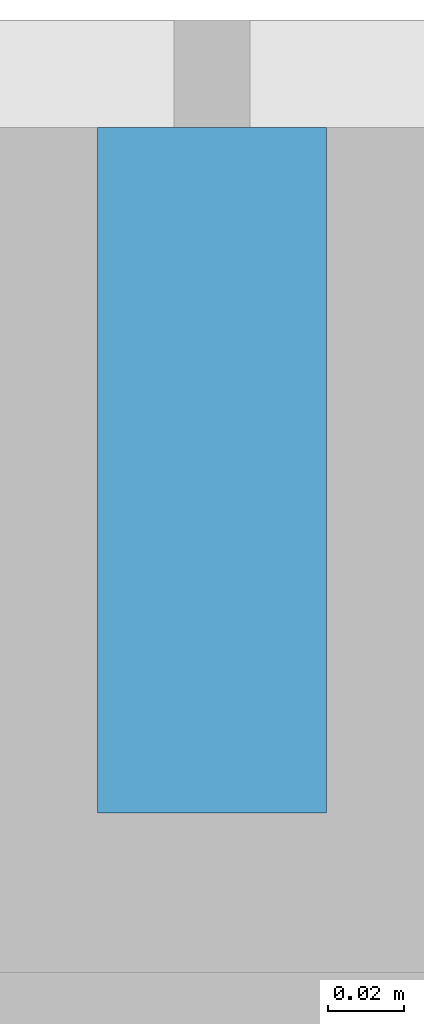
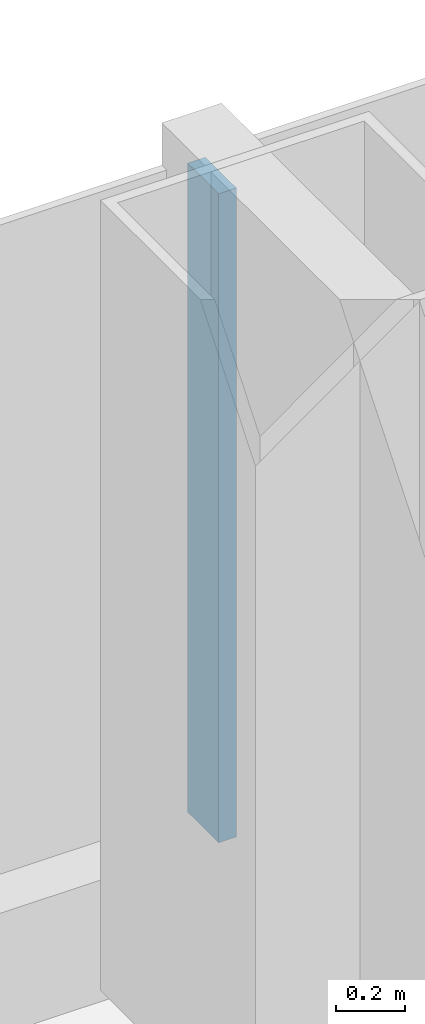
# One storey, part 7 of 29: 1 member, 1 element without a shape of its own.
"""IFC4 building model written with IfcOpenShell, lengths in metres."""

import ifcopenshell
import ifcopenshell.guid

model = None  # the IFC model being written
_history = None  # IfcOwnerHistory: only IFC2X3 demands one
_inside = {}  # id of a spatial element -> (the spatial element, [elements in it])
_under = {}  # id of a project, library or spatial element -> (it, [spatial elements below it])
_declared = {}  # id of a project -> (the project, [libraries it declares])
_typed = {}  # id of a type object -> (the type object, [elements of that type])
_made_of = {}  # id of a material, layer set ... -> (it, [elements and type objects made of it])


def new_model(schema):
    """Start an empty IFC model of exactly this schema.

    Asked for "IFC4X3", IfcOpenShell would pick the latest addendum, in which some entities
    have other attributes; the version numbers below select the first issue.
    IFC2X3 requires an IfcOwnerHistory on every rooted entity: one is made here for all.
    """
    global model, _history
    if schema == "IFC4X3":
        model = ifcopenshell.file(schema_version=(4, 3, 0, 0))
    else:
        model = ifcopenshell.file(schema=schema)
    _inside.clear()
    _under.clear()
    _declared.clear()
    _typed.clear()
    _made_of.clear()
    _history = None
    if model.schema == "IFC2X3":
        org = make("IfcOrganization", Name="unknown")
        user = make(
            "IfcPersonAndOrganization",
            ThePerson=make("IfcPerson", FamilyName="unknown"),
            TheOrganization=org,
        )
        app = make(
            "IfcApplication",
            ApplicationDeveloper=org,
            Version="unknown",
            ApplicationFullName="unknown",
            ApplicationIdentifier="unknown",
        )
        _history = make(
            "IfcOwnerHistory",
            OwningUser=user,
            OwningApplication=app,
            ChangeAction="ADDED",
            CreationDate=0,
        )
    return model


def make(cls, **values):
    """One entity of the class cls with the attributes given. An attribute that is None is left unset."""
    return model.create_entity(
        cls, **{name: value for name, value in values.items() if value is not None}
    )


def rooted(cls, **values):
    """An entity with a GlobalId (a new one), such as an element, a storey or a relation."""
    return make(cls, GlobalId=ifcopenshell.guid.new(), OwnerHistory=_history, **values)


def si_unit(unit_type, name, prefix=None):
    """IfcSIUnit, for example si_unit("LENGTHUNIT", "METRE", prefix="MILLI")."""
    return make("IfcSIUnit", UnitType=unit_type, Prefix=prefix, Name=name)


def assignment(units):
    """IfcUnitAssignment: the units of a project."""
    return None if units is None else make("IfcUnitAssignment", Units=units)


def point(xyz):
    """IfcCartesianPoint."""
    return None if xyz is None else make("IfcCartesianPoint", Coordinates=xyz)


def direction(xyz):
    """IfcDirection."""
    return None if xyz is None else make("IfcDirection", DirectionRatios=xyz)


def frame(location, z_axis=None, x_axis=None):
    """IfcAxis2Placement3D, a coordinate frame: its origin and axes. An axis left out is left unset."""
    return make(
        "IfcAxis2Placement3D",
        Location=point(location),
        Axis=direction(z_axis),
        RefDirection=direction(x_axis),
    )


def frame_2d(location, x_axis=None):
    """IfcAxis2Placement2D, a coordinate frame in the plane: its origin and x axis."""
    return make(
        "IfcAxis2Placement2D", Location=point(location), RefDirection=direction(x_axis)
    )


def origin():
    """The frame at (0, 0, 0) with its axes left unset."""
    return frame((0.0, 0.0, 0.0))


def origin_2d():
    """The frame at (0, 0) in the plane with its x axis left unset."""
    return frame_2d((0.0, 0.0))


def place(relative_to, where):
    """IfcLocalPlacement: puts the frame where relative to a parent placement (None: the world)."""
    return make(
        "IfcLocalPlacement", PlacementRelTo=relative_to, RelativePlacement=where
    )


def context(
    kind, dimensions, precision=None, world=None, true_north=None, identifier=None
):
    """IfcGeometricRepresentationContext, for example the 3D "Model" context."""
    return make(
        "IfcGeometricRepresentationContext",
        ContextIdentifier=identifier,
        ContextType=kind,
        CoordinateSpaceDimension=dimensions,
        Precision=precision,
        WorldCoordinateSystem=world,
        TrueNorth=true_north,
    )


def subcontext(parent, identifier, kind, view, scale=None):
    """IfcGeometricRepresentationSubContext, for example "Body" below "Model"."""
    return make(
        "IfcGeometricRepresentationSubContext",
        ContextIdentifier=identifier,
        ContextType=kind,
        ParentContext=parent,
        TargetScale=scale,
        TargetView=view,
    )


def project(units=None, contexts=None):
    """IfcProject with its units and contexts."""
    return rooted(
        "IfcProject",
        Name="project",
        RepresentationContexts=contexts,
        UnitsInContext=assignment(units),
    )


def spatial(cls, under=None, at=None, **own):
    """A site, building, storey or space (cls), placed at a placement, below another one or the project."""
    s = rooted(cls, ObjectPlacement=at, **own)
    if under is not None:
        _under.setdefault(under.id(), (under, []))[1].append(s)
    return s


def profile(cls, at=None, kind="AREA", **sizes):
    """A parametric profile (cls). Its sizes go by their IFC names, for example OverallWidth=200.0."""
    return make(cls, ProfileType=kind, Position=at, **sizes)


def rectangle(**sizes):
    """IfcRectangleProfileDef."""
    return profile("IfcRectangleProfileDef", **sizes)


def extrude(swept, where, along, depth):
    """IfcExtrudedAreaSolid: the profile swept, set in the frame where, extruded along a direction by depth."""
    return make(
        "IfcExtrudedAreaSolid",
        SweptArea=swept,
        Position=where,
        ExtrudedDirection=direction(along),
        Depth=depth,
    )


def shape(context_of_items, identifier, shape_type, items):
    """IfcShapeRepresentation: the items that make up one representation, for example the "Body"."""
    return make(
        "IfcShapeRepresentation",
        ContextOfItems=context_of_items,
        RepresentationIdentifier=identifier,
        RepresentationType=shape_type,
        Items=items,
    )


def material(Name=None, Category=None):
    """IfcMaterial."""
    return make("IfcMaterial", Name=Name, Category=Category)


def layer(
    of_material, thickness, ventilated=None, Name=None, Category=None, Priority=None
):
    """IfcMaterialLayer: one layer of a wall or slab, of a material (None: an air gap)."""
    return make(
        "IfcMaterialLayer",
        Material=of_material,
        LayerThickness=thickness,
        IsVentilated=ventilated,
        Name=Name,
        Category=Category,
        Priority=Priority,
    )


def layer_set(layers, Name=None):
    """IfcMaterialLayerSet."""
    return make("IfcMaterialLayerSet", MaterialLayers=layers, LayerSetName=Name)


def material_profile(
    of_material, cross_section, Name=None, Category=None, Priority=None
):
    """IfcMaterialProfile: a cross section and its material."""
    return make(
        "IfcMaterialProfile",
        Name=Name,
        Material=of_material,
        Profile=cross_section,
        Priority=Priority,
        Category=Category,
    )


def profile_set(profiles, Name=None, composite=None):
    """IfcMaterialProfileSet."""
    return make(
        "IfcMaterialProfileSet",
        Name=Name,
        MaterialProfiles=profiles,
        CompositeProfile=composite,
    )


def made_of(thing, what):
    """Note that an element or type object is made of a material, layer set ...; save() writes the relation."""
    if what is not None:
        _made_of.setdefault(what.id(), (what, []))[1].append(thing)
    return thing


def type_object(cls, material=None, **own):
    """A type object (cls), such as IfcWallType, which elements share."""
    return made_of(rooted(cls, **own), material)


def element(
    cls,
    number,
    at=None,
    inside=None,
    cuts=None,
    type_object=None,
    material=None,
    context=None,
    identifier="Body",
    shape_type=None,
    held_by="IfcProductDefinitionShape",
    body=None,
    shapes=None,
    **own,
):
    """One element of the class cls, such as IfcWall. Its Tag is "e" and its number.

    at: its placement. inside: the storey or other place that contains it. cuts: it is an
    opening in that element (IfcRelVoidsElement). A single representation is given by context,
    identifier, shape_type and body (its items); several are given by shapes. held_by: the class
    of the entity that holds the representations. save() writes the other relations.
    """
    e = rooted(cls, Tag="e%d" % number, ObjectPlacement=at, **own)
    if body is not None:
        shapes = [shape(context, identifier, shape_type, body)]
    if shapes is not None:
        e.Representation = make(held_by, Representations=shapes)
    if inside is not None:
        _inside.setdefault(inside.id(), (inside, []))[1].append(e)
    if cuts is not None:
        rooted(
            "IfcRelVoidsElement", RelatingBuildingElement=cuts, RelatedOpeningElement=e
        )
    if type_object is not None:
        _typed.setdefault(type_object.id(), (type_object, []))[1].append(e)
    return made_of(e, material)


def aggregate(whole, parts):
    """IfcRelAggregates: a whole, such as a stair, and the parts it consists of."""
    return rooted("IfcRelAggregates", RelatingObject=whole, RelatedObjects=parts)


def save(model, path):
    """Write the relations noted so far, then the file.

    IfcRelAggregates (storeys below a building ...), IfcRelContainedInSpatialStructure (elements
    in a storey), IfcRelDefinesByType, IfcRelAssociatesMaterial and IfcRelDeclares: one each for
    every whole, place, type object, material and project.
    """
    for whole, parts in _under.values():
        aggregate(whole, parts)
    for where, things in _inside.values():
        rooted(
            "IfcRelContainedInSpatialStructure",
            RelatedElements=things,
            RelatingStructure=where,
        )
    for kind, things in _typed.values():
        rooted("IfcRelDefinesByType", RelatedObjects=things, RelatingType=kind)
    for what, things in _made_of.values():
        rooted("IfcRelAssociatesMaterial", RelatedObjects=things, RelatingMaterial=what)
    for by, libraries in _declared.values():
        rooted("IfcRelDeclares", RelatingContext=by, RelatedDefinitions=libraries)
    model.write(path)


model = new_model("IFC4")

# Units and contexts
model_context = context("Model", 3, precision=1e-05, world=origin(), true_north=direction((0.0, 1.0)))
body_context = subcontext(model_context, "Body", "Model", "MODEL_VIEW")
ifc_project = project(units=[si_unit("LENGTHUNIT", "METRE"), si_unit("AREAUNIT", "SQUARE_METRE"), si_unit("VOLUMEUNIT", "CUBIC_METRE"), si_unit("PLANEANGLEUNIT", "RADIAN"), si_unit("MASSUNIT", "GRAM", prefix="KILO")], contexts=[model_context])

# Site, building, storey
site_placement = place(None, origin())
site = spatial("IfcSite", under=ifc_project, at=site_placement, CompositionType="ELEMENT")
building_placement = place(site_placement, origin())
building = spatial("IfcBuilding", under=site, at=building_placement, Name="Hakoniwa Tower and Hamabe Station Hall", CompositionType="ELEMENT")
storey_placement = place(building_placement, frame((0.0, 0.0, 29.39990234375)))
storey = spatial("IfcBuildingStorey", under=building, at=storey_placement, Name="L07", CompositionType="ELEMENT", Elevation=29.39990234375)

# Curtain wall, member
ifc_material_1 = material(Name="Dark low-e laminated glass", Category="glass")
ifc_layer = layer(ifc_material_1, 0.199951171875)
ifc_layer_set = layer_set([ifc_layer], Name="CW-1 UNITISED GUEST")
curtain_wall_type = type_object("IfcCurtainWallType", Name="CW-1 UNITISED GUEST", PredefinedType="NOTDEFINED", material=ifc_layer_set)
curtain_wall_placement = place(storey_placement, origin())
curtain_wall = element("IfcCurtainWall", 1, at=curtain_wall_placement, inside=storey, type_object=curtain_wall_type, Name="CW-1 curtain wall", PredefinedType="NOTDEFINED")
ifc_material_2 = material(Name="Aluminium 6063-T5 black anodised", Category="aluminium")
ifc_material_profile = material_profile(ifc_material_2, rectangle(XDim=0.06005859375, YDim=0.179931640625, at=origin_2d()), Name="CW-1 MULLION 60X180")
ifc_profile_set = profile_set([ifc_material_profile], Name="Aluminium 6063-T5 black anodised")
member_type = type_object("IfcMemberType", Name="CW-1 MULLION 60X180", PredefinedType="MULLION", material=ifc_profile_set)
member_placement = place(storey_placement, frame((0.0, 20.181884765625, 0.35009765625), z_axis=(0.0, 0.0, 1.0), x_axis=(-1.0, 0.0, 0.0)))
member = element("IfcMember", 2, at=member_placement, type_object=member_type, Name="CW-1 mullion", PredefinedType="MULLION", context=body_context, shape_type="SweptSolid", body=[
    extrude(rectangle(XDim=0.06005859375, YDim=0.179931640625, at=origin_2d()), origin(), (0.0, 0.0, 1.0), 2.300048828125),
])
aggregate(curtain_wall, [member])

save(model, "model.ifc")
